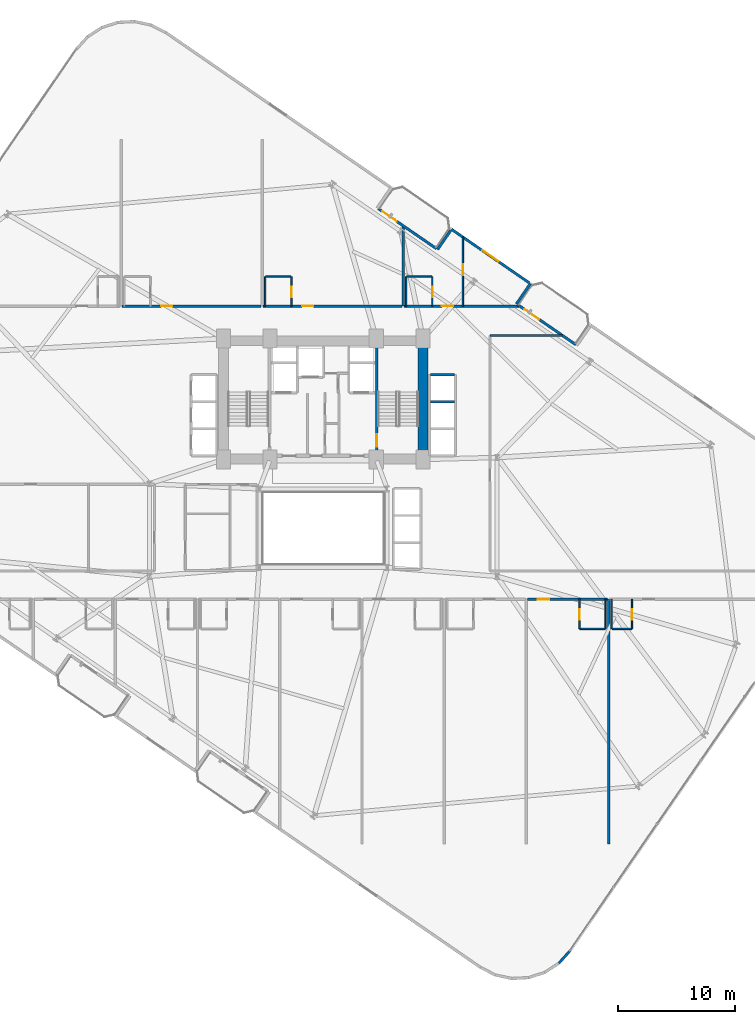
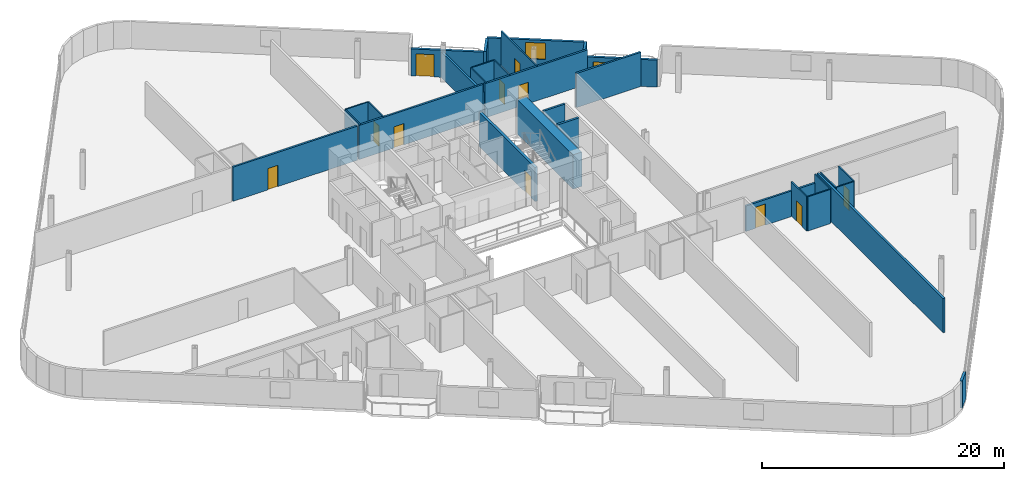
# One storey, part 20 of 25: 30 walls, 12 doors, 1 window, 13 openings.
"""IFC4 building model written with IfcOpenShell, lengths in metres."""

from ifc_helpers import new_model, si_unit, direction, frame, frame_2d, origin, place, context, subcontext, project, spatial, rectangle, extrude, material, layer, layer_set, type_object, element, fill, save


model = new_model("IFC4")

# Units and contexts
model_context = context("Model", 3, precision=1e-05, world=origin(), true_north=direction((0.0, 1.0)))
body_context = subcontext(model_context, "Body", "Model", "MODEL_VIEW")
ifc_project = project(units=[si_unit("LENGTHUNIT", "METRE"), si_unit("AREAUNIT", "SQUARE_METRE"), si_unit("VOLUMEUNIT", "CUBIC_METRE"), si_unit("PLANEANGLEUNIT", "RADIAN"), si_unit("MASSUNIT", "GRAM", prefix="KILO")], contexts=[model_context])

# Site, building, storey
site_placement = place(None, origin())
site = spatial("IfcSite", under=ifc_project, at=site_placement, CompositionType="ELEMENT")
building_placement = place(site_placement, origin())
building = spatial("IfcBuilding", under=site, at=building_placement, Name="Varnelok Gate Tower", CompositionType="ELEMENT")
storey_placement = place(building_placement, frame((0.0, 0.0, 56.60009765625)))
storey = spatial("IfcBuildingStorey", under=building, at=storey_placement, Name="L13", CompositionType="ELEMENT", Elevation=56.60009765625)

# Wall, opening, door
ifc_material_1 = material(Name="Concrete C45/55", Category="concrete")
ifc_layer_1 = layer(ifc_material_1, 0.219970703125)
ifc_layer_set_1 = layer_set([ifc_layer_1], Name="Concrete C45/55")
wall_type_1 = type_object("IfcWallType", Name="EW-BALC-220", PredefinedType="SOLIDWALL", material=ifc_layer_set_1)
wall_1_placement = place(storey_placement, frame((43.898193359375, 50.1015625, 0.0), z_axis=(0.0, 0.0, 1.0), x_axis=(0.823534636215, -0.567265989598, 0.0)))
wall_1 = element("IfcWall", 1, at=wall_1_placement, inside=storey, type_object=wall_type_1, Name="L13 North Terrace Envelope Wall 3", PredefinedType="SOLIDWALL", context=body_context, shape_type="SweptSolid", body=[
    extrude(rectangle(XDim=6.0, YDim=0.219970703125, at=frame_2d((3.0, 0.0))), origin(), (0.0, 0.0, 1.0), 2.72998046875),
])
opening_1_placement = place(wall_1_placement, frame((0.39990234375, 0.0, 0.0)))
opening_1 = element("IfcOpeningElement", 2, at=opening_1_placement, cuts=wall_1, Name="Opening BD-1", PredefinedType="OPENING", context=body_context, shape_type="SweptSolid", body=[
    extrude(rectangle(XDim=1.5, YDim=2.25, at=frame_2d((0.75, 1.125))), frame((0.0, 0.119873046875, 0.0), z_axis=(0.0, -1.0, 0.0), x_axis=(1.0, 0.0, 0.0)), (0.0, 0.0, 1.0), 0.239990234375),
])
ifc_material_2 = material(Name="Anodized Aluminum Alloy 6063-T6", Category="aluminium")
door_type_1 = type_object("IfcDoorType", Name="DR-EXT-BALC1500", OperationType="NOTDEFINED", PredefinedType="DOOR", material=ifc_material_2)
door_1_placement = place(opening_1_placement, origin())
door_1 = element("IfcDoor", 3, at=door_1_placement, inside=storey, type_object=door_type_1, Name="L13 North Balcony Glazed Door 3", OperationType="SINGLE_SWING_RIGHT", OverallHeight=2.25, OverallWidth=1.5, PredefinedType="DOOR", context=body_context, shape_type="SweptSolid", body=[
    extrude(rectangle(XDim=1.5, YDim=2.25, at=frame_2d((0.75, 1.125))), frame((0.0, 0.02490234375, 0.0), z_axis=(0.0, -1.0, 0.0), x_axis=(1.0, 0.0, 0.0)), (0.0, 0.0, 1.0), 0.050048828125),
])
fill(opening_1, door_1)

wall_2_placement = place(storey_placement, frame((55.757080078125, 41.932861328125, 0.0), z_axis=(0.0, 0.0, 1.0), x_axis=(0.823534636215, -0.567265989598, 0.0)))
wall_2 = element("IfcWall", 4, at=wall_2_placement, inside=storey, type_object=wall_type_1, Name="L13 North Terrace Envelope Wall 4", PredefinedType="SOLIDWALL", context=body_context, shape_type="SweptSolid", body=[
    extrude(rectangle(XDim=6.0, YDim=0.219970703125, at=frame_2d((3.0, 0.0))), origin(), (0.0, 0.0, 1.0), 2.72998046875),
])
opening_2_placement = place(wall_2_placement, frame((0.696044921875, 0.0, 0.0)))
opening_2 = element("IfcOpeningElement", 5, at=opening_2_placement, cuts=wall_2, Name="Opening BD-1", PredefinedType="OPENING", context=body_context, shape_type="SweptSolid", body=[
    extrude(rectangle(XDim=1.5, YDim=2.25, at=frame_2d((0.75, 1.125))), frame((0.0, 0.119873046875, 0.0), z_axis=(0.0, -1.0, 0.0), x_axis=(1.0, 0.0, 0.0)), (0.0, 0.0, 1.0), 0.239990234375),
])
door_2_placement = place(opening_2_placement, origin())
door_2 = element("IfcDoor", 6, at=door_2_placement, inside=storey, type_object=door_type_1, Name="L13 North Balcony Glazed Door 4", OperationType="SINGLE_SWING_LEFT", OverallHeight=2.25, OverallWidth=1.5, PredefinedType="DOOR", context=body_context, shape_type="SweptSolid", body=[
    extrude(rectangle(XDim=1.5, YDim=2.25, at=frame_2d((0.75, 1.125))), frame((0.0, 0.02490234375, 0.0), z_axis=(0.0, -1.0, 0.0), x_axis=(1.0, 0.0, 0.0)), (0.0, 0.0, 1.0), 0.050048828125),
])
fill(opening_2, door_2)

# Walls
wall_3_placement = place(storey_placement, frame((59.26611328125, -14.13525390625, 0.0), z_axis=(0.0, 0.0, 1.0), x_axis=(0.669866433955, 0.742481623113, 0.0)))
element("IfcWall", 7, at=wall_3_placement, inside=storey, type_object=wall_type_1, Name="L13 Perimeter Facade Closure Wall 19", PredefinedType="SOLIDWALL", context=body_context, shape_type="SweptSolid", body=[
    extrude(rectangle(XDim=1.4052734375, YDim=0.219970703125, at=frame_2d((0.70263671875, 0.0))), origin(), (0.0, 0.0, 1.0), 2.72998046875),
])
wall_4_placement = place(storey_placement, frame((55.652587890625, 41.99267578125, 0.0), z_axis=(0.0, 0.0, 1.0), x_axis=(0.567273696173, 0.823529327729, 0.0)))
element("IfcWall", 8, at=wall_4_placement, inside=storey, type_object=wall_type_1, Name="L13 Perimeter Facade Closure Wall 28", PredefinedType="SOLIDWALL", context=body_context, shape_type="SweptSolid", body=[
    extrude(rectangle(XDim=2.099853515625, YDim=0.219970703125, at=frame_2d((1.0498046875, 0.0))), origin(), (0.0, 0.0, 1.0), 2.72998046875),
])

# Wall, opening, window
wall_5_placement = place(storey_placement, frame((56.740966796875, 43.79296875, 0.0), z_axis=(0.0, 0.0, 1.0), x_axis=(-0.823530942962, 0.56727135128, 0.0)))
wall_5 = element("IfcWall", 9, at=wall_5_placement, inside=storey, type_object=wall_type_1, Name="L13 Perimeter Facade Closure Wall 29", PredefinedType="SOLIDWALL", context=body_context, shape_type="SweptSolid", body=[
    extrude(rectangle(XDim=8.03515625, YDim=0.219970703125, at=frame_2d((4.017578125, 0.0))), origin(), (0.0, 0.0, 1.0), 2.72998046875),
])
opening_3_placement = place(wall_5_placement, frame((3.1923828125, 0.0, 0.800048828125)))
opening_3 = element("IfcOpeningElement", 10, at=opening_3_placement, cuts=wall_5, Name="Opening WN3", PredefinedType="OPENING", context=body_context, shape_type="SweptSolid", body=[
    extrude(rectangle(XDim=1.64990234375, YDim=1.64990234375, at=frame_2d((0.824951171875, 0.824951171875))), frame((0.0, 0.119873046875, 0.0), z_axis=(0.0, -1.0, 0.0), x_axis=(1.0, 0.0, 0.0)), (0.0, 0.0, 1.0), 0.239990234375),
])
ifc_material_3 = material(Name="Low-E Laminated Double Glazing IGU", Category="glass")
window_type = type_object("IfcWindowType", Name="WN-HTL-1650", PartitioningType="SINGLE_PANEL", PredefinedType="WINDOW", material=ifc_material_3)
window_placement = place(opening_3_placement, origin())
window = element("IfcWindow", 11, at=window_placement, inside=storey, type_object=window_type, Name="L13 Perimeter Vision Window 29", OverallHeight=1.64990234375, OverallWidth=1.64990234375, PartitioningType="SINGLE_PANEL", PredefinedType="WINDOW", context=body_context, shape_type="SweptSolid", body=[
    extrude(rectangle(XDim=1.64990234375, YDim=1.64990234375, at=frame_2d((0.824951171875, 0.824951171875))), frame((0.0, 0.030029296875, 0.0), z_axis=(0.0, -1.0, 0.0), x_axis=(1.0, 0.0, 0.0)), (0.0, 0.0, 1.0), 0.06005859375),
])
fill(opening_3, window)

# Wall
wall_6_placement = place(storey_placement, frame((50.052978515625, 48.248046875, 0.0), z_axis=(0.0, 0.0, 1.0), x_axis=(-0.567273565974, -0.823529417415, 0.0)))
element("IfcWall", 12, at=wall_6_placement, inside=storey, type_object=wall_type_1, Name="L13 Perimeter Facade Closure Wall 30", PredefinedType="SOLIDWALL", context=body_context, shape_type="SweptSolid", body=[
    extrude(rectangle(XDim=1.97509765625, YDim=0.219970703125, at=frame_2d((0.987548828125, 0.0))), origin(), (0.0, 0.0, 1.0), 2.72998046875),
])

# Wall, opening, door
ifc_material_4 = material(Name="Gypsum Plasterboard Acoustic Partition", Category="gypsum")
ifc_layer_2 = layer(ifc_material_4, 0.179931640625)
ifc_layer_set_2 = layer_set([ifc_layer_2], Name="Gypsum Plasterboard Acoustic Partition")
wall_type_2 = type_object("IfcWallType", Name="PW-CORR-180", PredefinedType="PARTITIONING", material=ifc_layer_set_2)
wall_7_placement = place(storey_placement, frame((56.580078125, 16.85009765625, 0.0), z_axis=(0.0, 0.0, 1.0), x_axis=(1.0, 0.0, 0.0)))
wall_7 = element("IfcWall", 13, at=wall_7_placement, inside=storey, type_object=wall_type_2, Name="Interior Partition", PredefinedType="PARTITIONING", context=body_context, shape_type="SweptSolid", body=[
    extrude(rectangle(XDim=6.83984375, YDim=0.179931640625, at=frame_2d((3.419921875, 0.0))), origin(), (0.0, 0.0, 1.0), 2.579833984375),
])
opening_4_placement = place(wall_7_placement, frame((0.89990234375, 0.0, 0.0)))
opening_4 = element("IfcOpeningElement", 14, at=opening_4_placement, cuts=wall_7, Name="Opening D-HT", PredefinedType="OPENING", context=body_context, shape_type="SweptSolid", body=[
    extrude(rectangle(XDim=0.949951171875, YDim=2.14990234375, at=frame_2d((0.47509765625, 1.074951171875))), frame((0.0, 0.099853515625, 0.0), z_axis=(0.0, -1.0, 0.0), x_axis=(1.0, 0.0, 0.0)), (0.0, 0.0, 1.0), 0.199951171875),
])
ifc_material_5 = material(Name="Engineered Hardwood Timber", Category="wood")
door_type_2 = type_object("IfcDoorType", Name="DR-HTL-950", OperationType="NOTDEFINED", PredefinedType="DOOR", material=ifc_material_5)
door_3_placement = place(opening_4_placement, origin())
door_3 = element("IfcDoor", 15, at=door_3_placement, inside=storey, type_object=door_type_2, Name="L13 Guest Room 08 Entrance Door", OperationType="SINGLE_SWING_LEFT", OverallHeight=2.14990234375, OverallWidth=0.949951171875, PredefinedType="DOOR", context=body_context, shape_type="SweptSolid", body=[
    extrude(rectangle(XDim=0.949951171875, YDim=2.14990234375, at=frame_2d((0.47509765625, 1.074951171875))), frame((0.0, 0.02490234375, 0.0), z_axis=(0.0, -1.0, 0.0), x_axis=(1.0, 0.0, 0.0)), (0.0, 0.0, 1.0), 0.050048828125),
])
fill(opening_4, door_3)

wall_8_placement = place(storey_placement, frame((22.080078125, 41.800048828125, 0.0), z_axis=(0.0, 0.0, 1.0), x_axis=(1.0, 0.0, 0.0)))
wall_8 = element("IfcWall", 16, at=wall_8_placement, inside=storey, type_object=wall_type_2, Name="Interior Partition", PredefinedType="PARTITIONING", context=body_context, shape_type="SweptSolid", body=[
    extrude(rectangle(XDim=11.83984375, YDim=0.179931640625, at=frame_2d((5.919921875, 0.0))), origin(), (0.0, 0.0, 1.0), 3.449951171875),
])
opening_5_placement = place(wall_8_placement, frame((3.326416015625, 0.0, 0.0)))
opening_5 = element("IfcOpeningElement", 17, at=opening_5_placement, cuts=wall_8, Name="Opening D-HT", PredefinedType="OPENING", context=body_context, shape_type="SweptSolid", body=[
    extrude(rectangle(XDim=0.949951171875, YDim=2.14990234375, at=frame_2d((0.47509765625, 1.074951171875))), frame((0.0, 0.099853515625, 0.0), z_axis=(0.0, -1.0, 0.0), x_axis=(1.0, 0.0, 0.0)), (0.0, 0.0, 1.0), 0.199951171875),
])
door_4_placement = place(opening_5_placement, origin())
door_4 = element("IfcDoor", 18, at=door_4_placement, inside=storey, type_object=door_type_2, Name="L13 Guest Room 11 Entrance Door", OperationType="SINGLE_SWING_RIGHT", OverallHeight=2.14990234375, OverallWidth=0.949951171875, PredefinedType="DOOR", context=body_context, shape_type="SweptSolid", body=[
    extrude(rectangle(XDim=0.949951171875, YDim=2.14990234375, at=frame_2d((0.47509765625, 1.074951171875))), frame((0.0, 0.02490234375, 0.0), z_axis=(0.0, -1.0, 0.0), x_axis=(1.0, 0.0, 0.0)), (0.0, 0.0, 1.0), 0.050048828125),
])
fill(opening_5, door_4)

wall_9_placement = place(storey_placement, frame((34.080078125, 41.800048828125, 0.0), z_axis=(0.0, 0.0, 1.0), x_axis=(1.0, 0.0, 0.0)))
wall_9 = element("IfcWall", 19, at=wall_9_placement, inside=storey, type_object=wall_type_2, Name="Interior Partition", PredefinedType="PARTITIONING", context=body_context, shape_type="SweptSolid", body=[
    extrude(rectangle(XDim=11.83984375, YDim=0.179931640625, at=frame_2d((5.919921875, 0.0))), origin(), (0.0, 0.0, 1.0), 3.449951171875),
])
opening_6_placement = place(wall_9_placement, frame((3.326416015625, 0.0, 0.0)))
opening_6 = element("IfcOpeningElement", 20, at=opening_6_placement, cuts=wall_9, Name="Opening D-HT", PredefinedType="OPENING", context=body_context, shape_type="SweptSolid", body=[
    extrude(rectangle(XDim=0.949951171875, YDim=2.14990234375, at=frame_2d((0.47509765625, 1.074951171875))), frame((0.0, 0.099853515625, 0.0), z_axis=(0.0, -1.0, 0.0), x_axis=(1.0, 0.0, 0.0)), (0.0, 0.0, 1.0), 0.199951171875),
])
door_5_placement = place(opening_6_placement, origin())
door_5 = element("IfcDoor", 21, at=door_5_placement, inside=storey, type_object=door_type_2, Name="L13 Guest Room 12 Entrance Door", OperationType="SINGLE_SWING_LEFT", OverallHeight=2.14990234375, OverallWidth=0.949951171875, PredefinedType="DOOR", context=body_context, shape_type="SweptSolid", body=[
    extrude(rectangle(XDim=0.949951171875, YDim=2.14990234375, at=frame_2d((0.47509765625, 1.074951171875))), frame((0.0, 0.02490234375, 0.0), z_axis=(0.0, -1.0, 0.0), x_axis=(1.0, 0.0, 0.0)), (0.0, 0.0, 1.0), 0.050048828125),
])
fill(opening_6, door_5)

wall_10_placement = place(storey_placement, frame((46.080078125, 41.800048828125, 0.0), z_axis=(0.0, 0.0, 1.0), x_axis=(1.0, 0.0, 0.0)))
wall_10 = element("IfcWall", 22, at=wall_10_placement, inside=storey, type_object=wall_type_2, Name="Interior Partition", PredefinedType="PARTITIONING", context=body_context, shape_type="SweptSolid", body=[
    extrude(rectangle(XDim=9.81689453125, YDim=0.179931640625, at=frame_2d((4.908447265625, 0.0))), origin(), (0.0, 0.0, 1.0), 3.449951171875),
])
opening_7_placement = place(wall_10_placement, frame((3.22998046875, 0.0, 0.0)))
opening_7 = element("IfcOpeningElement", 23, at=opening_7_placement, cuts=wall_10, Name="Opening D-HT", PredefinedType="OPENING", context=body_context, shape_type="SweptSolid", body=[
    extrude(rectangle(XDim=0.949951171875, YDim=2.14990234375, at=frame_2d((0.47509765625, 1.074951171875))), frame((0.0, 0.099853515625, 0.0), z_axis=(0.0, -1.0, 0.0), x_axis=(1.0, 0.0, 0.0)), (0.0, 0.0, 1.0), 0.199951171875),
])
door_6_placement = place(opening_7_placement, origin())
door_6 = element("IfcDoor", 24, at=door_6_placement, inside=storey, type_object=door_type_2, Name="L13 Guest Room 13 Entrance Door", OperationType="SINGLE_SWING_RIGHT", OverallHeight=2.14990234375, OverallWidth=0.949951171875, PredefinedType="DOOR", context=body_context, shape_type="SweptSolid", body=[
    extrude(rectangle(XDim=0.949951171875, YDim=2.14990234375, at=frame_2d((0.47509765625, 1.074951171875))), frame((0.0, 0.02490234375, 0.0), z_axis=(0.0, -1.0, 0.0), x_axis=(1.0, 0.0, 0.0)), (0.0, 0.0, 1.0), 0.050048828125),
])
fill(opening_7, door_6)

# Walls
wall_11_placement = place(storey_placement, frame((53.389892578125, 39.300048828125, 0.0), z_axis=(0.0, 0.0, 1.0), x_axis=(1.0, 0.0, 0.0)))
element("IfcWall", 25, at=wall_11_placement, inside=storey, type_object=wall_type_2, Name="Interior Partition", PredefinedType="PARTITIONING", context=body_context, shape_type="SweptSolid", body=[
    extrude(rectangle(XDim=6.136474609375, YDim=0.179931640625, at=frame_2d((3.068359375, 0.0))), origin(), (0.0, 0.0, 1.0), 3.449951171875),
])
ifc_layer_3 = layer(ifc_material_4, 0.114990234375)
ifc_layer_set_3 = layer_set([ifc_layer_3], Name="Gypsum Plasterboard Acoustic Partition")
wall_type_3 = type_object("IfcWallType", Name="PW-ENS-125", PredefinedType="PARTITIONING", material=ifc_layer_set_3)
wall_12_placement = place(storey_placement, frame((61.050048828125, 14.330078125, 0.0), z_axis=(0.0, 0.0, 1.0), x_axis=(1.0, 0.0, 0.0)))
element("IfcWall", 26, at=wall_12_placement, inside=storey, type_object=wall_type_3, Name="Interior Partition", PredefinedType="PARTITIONING", context=body_context, shape_type="SweptSolid", body=[
    extrude(rectangle(XDim=2.14990234375, YDim=0.114990234375, at=frame_2d((1.074951171875, 0.0))), origin(), (0.0, 0.0, 1.0), 3.449951171875),
])

# Wall, opening, door
wall_13_placement = place(storey_placement, frame((61.010009765625, 14.330078125, 0.0), z_axis=(0.0, 0.0, 1.0), x_axis=(0.0, 1.0, 0.0)))
wall_13 = element("IfcWall", 27, at=wall_13_placement, inside=storey, type_object=wall_type_3, Name="Interior Partition", PredefinedType="PARTITIONING", context=body_context, shape_type="SweptSolid", body=[
    extrude(rectangle(XDim=2.52001953125, YDim=0.114990234375, at=frame_2d((1.260009765625, 0.0))), origin(), (0.0, 0.0, 1.0), 3.449951171875),
])
opening_8_placement = place(wall_13_placement, frame((0.760009765625, 0.0, 0.0)))
opening_8 = element("IfcOpeningElement", 28, at=opening_8_placement, cuts=wall_13, Name="Opening D-WC", PredefinedType="OPENING", context=body_context, shape_type="SweptSolid", body=[
    extrude(rectangle(XDim=0.89990234375, YDim=2.050048828125, at=frame_2d((0.449951171875, 1.02490234375))), frame((0.0, 0.0673828125, 0.0), z_axis=(0.0, -1.0, 0.0), x_axis=(1.0, 0.0, 0.0)), (0.0, 0.0, 1.0), 0.135009765625),
])
door_type_3 = type_object("IfcDoorType", Name="DR-BATH-900", OperationType="NOTDEFINED", PredefinedType="DOOR", material=ifc_material_5)
door_7_placement = place(opening_8_placement, origin())
door_7 = element("IfcDoor", 29, at=door_7_placement, inside=storey, type_object=door_type_3, Name="L13 Guest En-Suite 08 Door", OperationType="SINGLE_SWING_RIGHT", OverallHeight=2.050048828125, OverallWidth=0.89990234375, PredefinedType="DOOR", context=body_context, shape_type="SweptSolid", body=[
    extrude(rectangle(XDim=0.89990234375, YDim=2.050048828125, at=frame_2d((0.449951171875, 1.02490234375))), frame((0.0, 0.02490234375, 0.0), z_axis=(0.0, -1.0, 0.0), x_axis=(1.0, 0.0, 0.0)), (0.0, 0.0, 1.0), 0.050048828125),
])
fill(opening_8, door_7)

# Walls
wall_14_placement = place(storey_placement, frame((63.239990234375, 14.330078125, 0.0), z_axis=(0.0, 0.0, 1.0), x_axis=(0.0, 1.0, 0.0)))
element("IfcWall", 30, at=wall_14_placement, inside=storey, type_object=wall_type_3, Name="Interior Partition", PredefinedType="PARTITIONING", context=body_context, shape_type="SweptSolid", body=[
    extrude(rectangle(XDim=2.52001953125, YDim=0.114990234375, at=frame_2d((1.260009765625, 0.0))), origin(), (0.0, 0.0, 1.0), 3.449951171875),
])
wall_15_placement = place(storey_placement, frame((63.800048828125, 14.330078125, 0.0), z_axis=(0.0, 0.0, 1.0), x_axis=(1.0, 0.0, 0.0)))
element("IfcWall", 31, at=wall_15_placement, inside=storey, type_object=wall_type_3, Name="Interior Partition", PredefinedType="PARTITIONING", context=body_context, shape_type="SweptSolid", body=[
    extrude(rectangle(XDim=1.64990234375, YDim=0.114990234375, at=frame_2d((0.824951171875, 0.0))), origin(), (0.0, 0.0, 1.0), 3.449951171875),
])

# Wall, opening, door
wall_16_placement = place(storey_placement, frame((65.489990234375, 14.330078125, 0.0), z_axis=(0.0, 0.0, 1.0), x_axis=(0.0, 1.0, 0.0)))
wall_16 = element("IfcWall", 32, at=wall_16_placement, inside=storey, type_object=wall_type_3, Name="Interior Partition", PredefinedType="PARTITIONING", context=body_context, shape_type="SweptSolid", body=[
    extrude(rectangle(XDim=2.52001953125, YDim=0.114990234375, at=frame_2d((1.260009765625, 0.0))), origin(), (0.0, 0.0, 1.0), 3.449951171875),
])
opening_9_placement = place(wall_16_placement, frame((0.760009765625, 0.0, 0.0)))
opening_9 = element("IfcOpeningElement", 33, at=opening_9_placement, cuts=wall_16, Name="Opening D-WC", PredefinedType="OPENING", context=body_context, shape_type="SweptSolid", body=[
    extrude(rectangle(XDim=0.89990234375, YDim=2.050048828125, at=frame_2d((0.449951171875, 1.02490234375))), frame((0.0, 0.0673828125, 0.0), z_axis=(0.0, -1.0, 0.0), x_axis=(1.0, 0.0, 0.0)), (0.0, 0.0, 1.0), 0.135009765625),
])
door_8_placement = place(opening_9_placement, origin())
door_8 = element("IfcDoor", 34, at=door_8_placement, inside=storey, type_object=door_type_3, Name="L13 Guest En-Suite 09 Door", OperationType="SINGLE_SWING_LEFT", OverallHeight=2.050048828125, OverallWidth=0.89990234375, PredefinedType="DOOR", context=body_context, shape_type="SweptSolid", body=[
    extrude(rectangle(XDim=0.89990234375, YDim=2.050048828125, at=frame_2d((0.449951171875, 1.02490234375))), frame((0.0, 0.02490234375, 0.0), z_axis=(0.0, -1.0, 0.0), x_axis=(1.0, 0.0, 0.0)), (0.0, 0.0, 1.0), 0.050048828125),
])
fill(opening_9, door_8)

# Walls
wall_17_placement = place(storey_placement, frame((63.760009765625, 14.330078125, 0.0), z_axis=(0.0, 0.0, 1.0), x_axis=(0.0, 1.0, 0.0)))
element("IfcWall", 35, at=wall_17_placement, inside=storey, type_object=wall_type_3, Name="Interior Partition", PredefinedType="PARTITIONING", context=body_context, shape_type="SweptSolid", body=[
    extrude(rectangle(XDim=2.52001953125, YDim=0.114990234375, at=frame_2d((1.260009765625, 0.0))), origin(), (0.0, 0.0, 1.0), 3.449951171875),
])
wall_18_placement = place(storey_placement, frame((34.300048828125, 44.320068359375, 0.0), z_axis=(0.0, 0.0, 1.0), x_axis=(1.0, 0.0, 0.0)))
element("IfcWall", 36, at=wall_18_placement, inside=storey, type_object=wall_type_3, Name="Interior Partition", PredefinedType="PARTITIONING", context=body_context, shape_type="SweptSolid", body=[
    extrude(rectangle(XDim=2.14990234375, YDim=0.114990234375, at=frame_2d((1.074951171875, 0.0))), origin(), (0.0, 0.0, 1.0), 3.449951171875),
])

# Wall, opening, door
wall_19_placement = place(storey_placement, frame((36.489990234375, 41.800048828125, 0.0), z_axis=(0.0, 0.0, 1.0), x_axis=(0.0, 1.0, 0.0)))
wall_19 = element("IfcWall", 37, at=wall_19_placement, inside=storey, type_object=wall_type_3, Name="Interior Partition", PredefinedType="PARTITIONING", context=body_context, shape_type="SweptSolid", body=[
    extrude(rectangle(XDim=2.52001953125, YDim=0.114990234375, at=frame_2d((1.260009765625, 0.0))), origin(), (0.0, 0.0, 1.0), 3.449951171875),
])
opening_10_placement = place(wall_19_placement, frame((0.760009765625, 0.0, 0.0)))
opening_10 = element("IfcOpeningElement", 38, at=opening_10_placement, cuts=wall_19, Name="Opening D-WC", PredefinedType="OPENING", context=body_context, shape_type="SweptSolid", body=[
    extrude(rectangle(XDim=0.89990234375, YDim=2.050048828125, at=frame_2d((0.449951171875, 1.02490234375))), frame((0.0, 0.0673828125, 0.0), z_axis=(0.0, -1.0, 0.0), x_axis=(1.0, 0.0, 0.0)), (0.0, 0.0, 1.0), 0.135009765625),
])
door_9_placement = place(opening_10_placement, origin())
door_9 = element("IfcDoor", 39, at=door_9_placement, inside=storey, type_object=door_type_3, Name="L13 North En-Suite 12 Door", OperationType="SINGLE_SWING_RIGHT", OverallHeight=2.050048828125, OverallWidth=0.89990234375, PredefinedType="DOOR", context=body_context, shape_type="SweptSolid", body=[
    extrude(rectangle(XDim=0.89990234375, YDim=2.050048828125, at=frame_2d((0.449951171875, 1.02490234375))), frame((0.0, 0.02490234375, 0.0), z_axis=(0.0, -1.0, 0.0), x_axis=(1.0, 0.0, 0.0)), (0.0, 0.0, 1.0), 0.050048828125),
])
fill(opening_10, door_9)

# Walls
wall_20_placement = place(storey_placement, frame((34.260009765625, 41.800048828125, 0.0), z_axis=(0.0, 0.0, 1.0), x_axis=(0.0, 1.0, 0.0)))
element("IfcWall", 40, at=wall_20_placement, inside=storey, type_object=wall_type_3, Name="Interior Partition", PredefinedType="PARTITIONING", context=body_context, shape_type="SweptSolid", body=[
    extrude(rectangle(XDim=2.52001953125, YDim=0.114990234375, at=frame_2d((1.260009765625, 0.0))), origin(), (0.0, 0.0, 1.0), 3.449951171875),
])
wall_21_placement = place(storey_placement, frame((46.300048828125, 44.320068359375, 0.0), z_axis=(0.0, 0.0, 1.0), x_axis=(1.0, 0.0, 0.0)))
element("IfcWall", 41, at=wall_21_placement, inside=storey, type_object=wall_type_3, Name="Interior Partition", PredefinedType="PARTITIONING", context=body_context, shape_type="SweptSolid", body=[
    extrude(rectangle(XDim=2.14990234375, YDim=0.114990234375, at=frame_2d((1.074951171875, 0.0))), origin(), (0.0, 0.0, 1.0), 3.449951171875),
])

# Wall, opening, door
wall_22_placement = place(storey_placement, frame((48.489990234375, 41.800048828125, 0.0), z_axis=(0.0, 0.0, 1.0), x_axis=(0.0, 1.0, 0.0)))
wall_22 = element("IfcWall", 42, at=wall_22_placement, inside=storey, type_object=wall_type_3, Name="Interior Partition", PredefinedType="PARTITIONING", context=body_context, shape_type="SweptSolid", body=[
    extrude(rectangle(XDim=2.52001953125, YDim=0.114990234375, at=frame_2d((1.260009765625, 0.0))), origin(), (0.0, 0.0, 1.0), 3.449951171875),
])
opening_11_placement = place(wall_22_placement, frame((0.760009765625, 0.0, 0.0)))
opening_11 = element("IfcOpeningElement", 43, at=opening_11_placement, cuts=wall_22, Name="Opening D-WC", PredefinedType="OPENING", context=body_context, shape_type="SweptSolid", body=[
    extrude(rectangle(XDim=0.89990234375, YDim=2.050048828125, at=frame_2d((0.449951171875, 1.02490234375))), frame((0.0, 0.0673828125, 0.0), z_axis=(0.0, -1.0, 0.0), x_axis=(1.0, 0.0, 0.0)), (0.0, 0.0, 1.0), 0.135009765625),
])
door_10_placement = place(opening_11_placement, origin())
door_10 = element("IfcDoor", 44, at=door_10_placement, inside=storey, type_object=door_type_3, Name="L13 North En-Suite 13 Door", OperationType="SINGLE_SWING_RIGHT", OverallHeight=2.050048828125, OverallWidth=0.89990234375, PredefinedType="DOOR", context=body_context, shape_type="SweptSolid", body=[
    extrude(rectangle(XDim=0.89990234375, YDim=2.050048828125, at=frame_2d((0.449951171875, 1.02490234375))), frame((0.0, 0.02490234375, 0.0), z_axis=(0.0, -1.0, 0.0), x_axis=(1.0, 0.0, 0.0)), (0.0, 0.0, 1.0), 0.050048828125),
])
fill(opening_11, door_10)

# Wall
wall_23_placement = place(storey_placement, frame((46.260009765625, 41.800048828125, 0.0), z_axis=(0.0, 0.0, 1.0), x_axis=(0.0, 1.0, 0.0)))
element("IfcWall", 45, at=wall_23_placement, inside=storey, type_object=wall_type_3, Name="Interior Partition", PredefinedType="PARTITIONING", context=body_context, shape_type="SweptSolid", body=[
    extrude(rectangle(XDim=2.52001953125, YDim=0.114990234375, at=frame_2d((1.260009765625, 0.0))), origin(), (0.0, 0.0, 1.0), 3.449951171875),
])

# Wall, opening, door
ifc_layer_4 = layer(ifc_material_4, 0.125)
ifc_layer_set_4 = layer_set([ifc_layer_4], Name="Gypsum Plasterboard Acoustic Partition")
wall_type_4 = type_object("IfcWallType", Name="PW-PART-125", PredefinedType="PARTITIONING", material=ifc_layer_set_4)
wall_24_placement = place(storey_placement, frame((51.10009765625, 41.800048828125, 0.0), z_axis=(0.0, 0.0, 1.0), x_axis=(0.0, 1.0, 0.0)))
wall_24 = element("IfcWall", 46, at=wall_24_placement, inside=storey, type_object=wall_type_4, Name="Interior Partition", PredefinedType="PARTITIONING", context=body_context, shape_type="SweptSolid", body=[
    extrude(rectangle(XDim=5.854248046875, YDim=0.125, at=frame_2d((2.92724609375, 0.0))), origin(), (0.0, 0.0, 1.0), 3.449951171875),
])
opening_12_placement = place(wall_24_placement, frame((2.64306640625, 0.0, 0.0)))
opening_12 = element("IfcOpeningElement", 47, at=opening_12_placement, cuts=wall_24, Name="Opening D-I3", PredefinedType="OPENING", context=body_context, shape_type="SweptSolid", body=[
    extrude(rectangle(XDim=0.919921875, YDim=2.050048828125, at=frame_2d((0.4599609375, 1.02490234375))), frame((0.0, 0.072509765625, 0.0), z_axis=(0.0, -1.0, 0.0), x_axis=(1.0, 0.0, 0.0)), (0.0, 0.0, 1.0), 0.14501953125),
])
door_type_4 = type_object("IfcDoorType", Name="DR-INT-920", OperationType="NOTDEFINED", PredefinedType="DOOR", material=ifc_material_5)
door_11_placement = place(opening_12_placement, origin())
door_11 = element("IfcDoor", 48, at=door_11_placement, inside=storey, type_object=door_type_4, Name="L13 Suite Bedroom Door 13", OperationType="SINGLE_SWING_LEFT", OverallHeight=2.050048828125, OverallWidth=0.919921875, PredefinedType="DOOR", context=body_context, shape_type="SweptSolid", body=[
    extrude(rectangle(XDim=0.919921875, YDim=2.050048828125, at=frame_2d((0.4599609375, 1.02490234375))), frame((0.0, 0.02490234375, 0.0), z_axis=(0.0, -1.0, 0.0), x_axis=(1.0, 0.0, 0.0)), (0.0, 0.0, 1.0), 0.050048828125),
])
fill(opening_12, door_11)

# Walls
ifc_layer_5 = layer(ifc_material_4, 0.205078125)
ifc_layer_set_5 = layer_set([ifc_layer_5], Name="Gypsum Plasterboard Acoustic Partition")
wall_type_5 = type_object("IfcWallType", Name="PW-PARTY-200", PredefinedType="PARTITIONING", material=ifc_layer_set_5)
wall_25_placement = place(storey_placement, frame((63.5, -4.0, 0.0), z_axis=(0.0, 0.0, 1.0), x_axis=(0.0, 1.0, 0.0)))
element("IfcWall", 49, at=wall_25_placement, inside=storey, type_object=wall_type_5, Name="L13 South Party Wall 8", PredefinedType="PARTITIONING", context=body_context, shape_type="SweptSolid", body=[
    extrude(rectangle(XDim=20.85009765625, YDim=0.205078125, at=frame_2d((10.425048828125, 0.0))), origin(), (0.0, 0.0, 1.0), 3.449951171875),
])
wall_26_placement = place(storey_placement, frame((46.0, 41.800048828125, 0.0), z_axis=(0.0, 0.0, 1.0), x_axis=(0.0, 1.0, 0.0)))
element("IfcWall", 50, at=wall_26_placement, inside=storey, type_object=wall_type_5, Name="L13 North Party Wall 3", PredefinedType="PARTITIONING", context=body_context, shape_type="SweptSolid", body=[
    extrude(rectangle(XDim=6.817138671875, YDim=0.205078125, at=frame_2d((3.40869140625, 0.0))), origin(), (0.0, 0.0, 1.0), 2.579833984375),
])
ifc_material_6 = material(Name="Concrete C35/45", Category="concrete")
ifc_layer_6 = layer(ifc_material_6, 0.199951171875)
ifc_layer_set_6 = layer_set([ifc_layer_6], Name="Concrete C35/45")
wall_type_6 = type_object("IfcWallType", Name="PW-SHAFT-200", PredefinedType="PARTITIONING", material=ifc_layer_set_6)
for number, where, z_axis, x_axis, name in (
    (51, (48.320068359375, 33.675048828125, 0.0), (0.0, 0.0, 1.0), (1.0, 0.0, 0.0), "L13 PM2 Divider"),
    (52, (48.320068359375, 35.969970703125, 0.0), (0.0, 0.0, 1.0), (1.0, 0.0, 0.0), "L13 PM Bank North Wall"),
):
    element("IfcWall", number, at=place(storey_placement, frame(where, z_axis=z_axis, x_axis=x_axis)), inside=storey, type_object=wall_type_6, Name=name, PredefinedType="PARTITIONING", context=body_context, shape_type="SweptSolid", body=[
        extrude(rectangle(XDim=2.059814453125, YDim=0.199951171875, at=frame_2d((1.02978515625, 0.0))), origin(), (0.0, 0.0, 1.0), 3.449951171875),
    ])
ifc_material_7 = material(Name="Concrete C70/85", Category="concrete")
ifc_layer_7 = layer(ifc_material_7, 0.85009765625)
ifc_layer_set_7 = layer_set([ifc_layer_7], Name="Concrete C70/85")
wall_type_7 = type_object("IfcWallType", Name="SW-CORE-850", PredefinedType="SHEAR", material=ifc_layer_set_7)
wall_27_placement = place(storey_placement, frame((47.695068359375, 29.199951171875, 0.0), z_axis=(0.0, 0.0, 1.0), x_axis=(0.0, 1.0, 0.0)))
element("IfcWall", 53, at=wall_27_placement, inside=storey, type_object=wall_type_7, Name="L13 Rear Core East Shear Wall", PredefinedType="SHEAR", context=body_context, shape_type="SweptSolid", body=[
    extrude(rectangle(XDim=9.219970703125, YDim=0.85009765625, at=frame_2d((4.60986328125, 0.0))), origin(), (0.0, 0.0, 1.0), 3.449951171875),
])

# Wall, opening, door
ifc_material_8 = material(Name="Concrete C60/75", Category="concrete")
ifc_layer_8 = layer(ifc_material_8, 0.25)
ifc_layer_set_8 = layer_set([ifc_layer_8], Name="Concrete C60/75")
wall_type_8 = type_object("IfcWallType", Name="SW-SHAFT-250", PredefinedType="SHEAR", material=ifc_layer_set_8)
wall_28_placement = place(storey_placement, frame((43.760009765625, 29.199951171875, 0.0), z_axis=(0.0, 0.0, 1.0), x_axis=(0.0, 1.0, 0.0)))
wall_28 = element("IfcWall", 54, at=wall_28_placement, inside=storey, type_object=wall_type_8, Name="L13 Stair ST-2 West Shear Wall", PredefinedType="SHEAR", context=body_context, shape_type="SweptSolid", body=[
    extrude(rectangle(XDim=9.219970703125, YDim=0.25, at=frame_2d((4.60986328125, 0.0))), origin(), (0.0, 0.0, 1.0), 3.449951171875),
])
opening_13_placement = place(wall_28_placement, frame((0.64990234375, 0.0, 0.0)))
opening_13 = element("IfcOpeningElement", 55, at=opening_13_placement, cuts=wall_28, Name="Opening D-ST", PredefinedType="OPENING", context=body_context, shape_type="SweptSolid", body=[
    extrude(rectangle(XDim=1.050048828125, YDim=2.14990234375, at=frame_2d((0.52490234375, 1.074951171875))), frame((0.0, 0.135009765625, 0.0), z_axis=(0.0, -1.0, 0.0), x_axis=(1.0, 0.0, 0.0)), (0.0, 0.0, 1.0), 0.27001953125),
])
ifc_material_9 = material(Name="Galvanized Steel Grade S350GD", Category="steel")
door_type_5 = type_object("IfcDoorType", Name="DR-STAIR-1050", OperationType="NOTDEFINED", PredefinedType="DOOR", material=ifc_material_9)
door_12_placement = place(opening_13_placement, origin())
door_12 = element("IfcDoor", 56, at=door_12_placement, inside=storey, type_object=door_type_5, Name="L13 Exit Stair ST-2 Fire Door", OperationType="SINGLE_SWING_RIGHT", OverallHeight=2.14990234375, OverallWidth=1.050048828125, PredefinedType="DOOR", context=body_context, shape_type="SweptSolid", body=[
    extrude(rectangle(XDim=1.050048828125, YDim=2.14990234375, at=frame_2d((0.52490234375, 1.074951171875))), frame((0.0, 0.02490234375, 0.0), z_axis=(0.0, -1.0, 0.0), x_axis=(1.0, 0.0, 0.0)), (0.0, 0.0, 1.0), 0.050048828125),
])
fill(opening_13, door_12)

save(model, "model.ifc")
